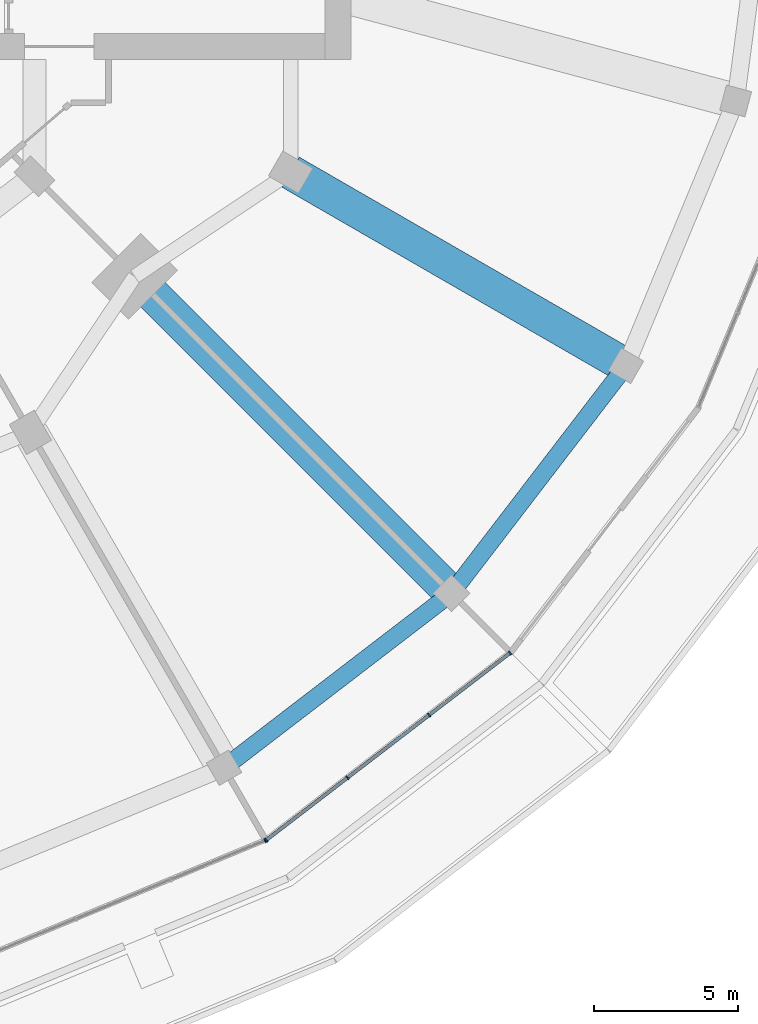
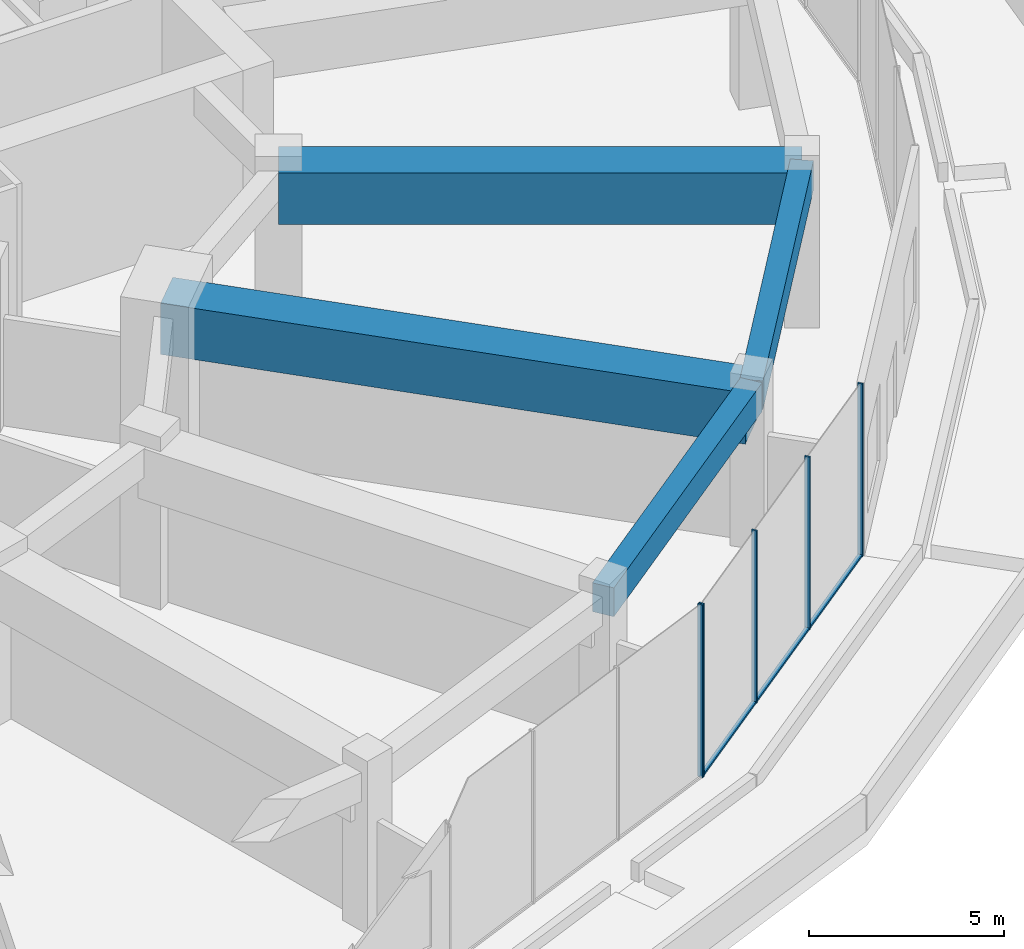
# One storey, part 11 of 30: 8 members, 4 beams, 2 elements without a shape of their own.
"""IFC4 building model written with IfcOpenShell, lengths in metres."""

from ifc_helpers import new_model, si_unit, direction, frame, origin, origin_2d, place, context, subcontext, project, spatial, rectangle, extrude, material, layer, layer_set, material_profile, profile_set, type_object, element, aggregate, save


model = new_model("IFC4")

# Units and contexts
model_context = context("Model", 3, precision=1e-05, world=origin(), true_north=direction((0.0, 1.0)))
body_context = subcontext(model_context, "Body", "Model", "MODEL_VIEW")
ifc_project = project(units=[si_unit("LENGTHUNIT", "METRE"), si_unit("AREAUNIT", "SQUARE_METRE"), si_unit("VOLUMEUNIT", "CUBIC_METRE"), si_unit("PLANEANGLEUNIT", "RADIAN"), si_unit("MASSUNIT", "GRAM", prefix="KILO")], contexts=[model_context])

# Site, building, storey
site_placement = place(None, origin())
site = spatial("IfcSite", under=ifc_project, at=site_placement, CompositionType="ELEMENT")
building_placement = place(site_placement, origin())
building = spatial("IfcBuilding", under=site, at=building_placement, Name="Torre Brocal", CompositionType="ELEMENT")
storey_placement = place(building_placement, frame((0.0, 0.0, 7.0)))
storey = spatial("IfcBuildingStorey", under=building, at=storey_placement, Name="L01", CompositionType="ELEMENT", Elevation=7.0)

# Curtain wall, member
ifc_material_1 = material(Name="Aluminium and glass", Category="aluminium")
ifc_layer = layer(ifc_material_1, 0.199951171875)
ifc_layer_set = layer_set([ifc_layer], Name="Aluminium and glass")
curtain_wall_type = type_object("IfcCurtainWallType", Name="CW-3 CURTAIN WALL 5400 HIGH", PredefinedType="NOTDEFINED", material=ifc_layer_set)
curtain_wall_1_placement = place(storey_placement, origin())
curtain_wall_1 = element("IfcCurtainWall", 1, at=curtain_wall_1_placement, inside=storey, type_object=curtain_wall_type, Name="CW-3 RUN 20", PredefinedType="NOTDEFINED")
ifc_material_2 = material(Name="Aluminium, dark anodised", Category="aluminium")
ifc_material_profile_1 = material_profile(ifc_material_2, rectangle(XDim=0.14990234375, YDim=0.050048828125, at=origin_2d()), Name="CW-3 MULLION 50X150")
ifc_profile_set_1 = profile_set([ifc_material_profile_1], Name="Aluminium, dark anodised")
member_type_1 = type_object("IfcMemberType", Name="CW-3 MULLION 50X150", PredefinedType="MULLION", material=ifc_profile_set_1)
member_1_placement = place(storey_placement, frame((100.426513671875, 39.57080078125, 0.0), z_axis=(0.0, 0.0, 1.0), x_axis=(-0.382683432397, 0.923879532498, 0.0)))
member_1 = element("IfcMember", 2, at=member_1_placement, type_object=member_type_1, Name="CW3-2 mullion 4", PredefinedType="MULLION", context=body_context, shape_type="SweptSolid", body=[
    extrude(rectangle(XDim=0.14990234375, YDim=0.050048828125, at=origin_2d()), origin(), (0.0, 0.0, 1.0), 5.39990234375),
])
aggregate(curtain_wall_1, [member_1])

# Curtain wall, members
curtain_wall_2_placement = place(storey_placement, origin())
curtain_wall_2 = element("IfcCurtainWall", 3, at=curtain_wall_2_placement, inside=storey, type_object=curtain_wall_type, Name="CW-3 RUN 21", PredefinedType="NOTDEFINED")
member_2_placement = place(storey_placement, frame((100.469482421875, 39.595458984375, 0.0), z_axis=(0.0, 0.0, 1.0), x_axis=(-0.608761429009, 0.793353340291, 0.0)))
member_2 = element("IfcMember", 4, at=member_2_placement, type_object=member_type_1, Name="CW3-2 mullion 1", PredefinedType="MULLION", context=body_context, shape_type="SweptSolid", body=[
    extrude(rectangle(XDim=0.14990234375, YDim=0.050048828125, at=origin_2d()), origin(), (0.0, 0.0, 1.0), 5.39990234375),
])
member_3_placement = place(storey_placement, frame((103.27294921875, 41.746826171875, 0.0), z_axis=(0.0, 0.0, 1.0), x_axis=(-0.608761429009, 0.793353340291, 0.0)))
member_3 = element("IfcMember", 5, at=member_3_placement, type_object=member_type_1, Name="CW3-2 mullion 2", PredefinedType="MULLION", context=body_context, shape_type="SweptSolid", body=[
    extrude(rectangle(XDim=0.14990234375, YDim=0.050048828125, at=origin_2d()), origin(), (0.0, 0.0, 1.0), 5.39990234375),
])
member_4_placement = place(storey_placement, frame((106.0966796875, 43.913330078125, 0.0), z_axis=(0.0, 0.0, 1.0), x_axis=(-0.608761429009, 0.793353340291, 0.0)))
member_4 = element("IfcMember", 6, at=member_4_placement, type_object=member_type_1, Name="CW3-2 mullion 3", PredefinedType="MULLION", context=body_context, shape_type="SweptSolid", body=[
    extrude(rectangle(XDim=0.14990234375, YDim=0.050048828125, at=origin_2d()), origin(), (0.0, 0.0, 1.0), 5.39990234375),
])
member_5_placement = place(storey_placement, frame((108.900146484375, 46.064697265625, 0.0), z_axis=(0.0, 0.0, 1.0), x_axis=(-0.608761429009, 0.793353340291, 0.0)))
member_5 = element("IfcMember", 7, at=member_5_placement, type_object=member_type_1, Name="CW3-2 mullion 4", PredefinedType="MULLION", context=body_context, shape_type="SweptSolid", body=[
    extrude(rectangle(XDim=0.14990234375, YDim=0.050048828125, at=origin_2d()), origin(), (0.0, 0.0, 1.0), 5.39990234375),
])
ifc_material_3 = material(Name="Aluminium, dark anodised", Category="aluminium")
ifc_material_profile_2 = material_profile(ifc_material_3, rectangle(XDim=0.1201171875, YDim=0.06005859375, at=origin_2d()), Name="CW-3 TRANSOM 120X60")
ifc_profile_set_2 = profile_set([ifc_material_profile_2], Name="Aluminium, dark anodised")
member_type_2 = type_object("IfcMemberType", Name="CW-3 TRANSOM 120X60", PredefinedType="USERDEFINED", material=ifc_profile_set_2)
member_6_placement = place(storey_placement, frame((100.4892578125, 39.61083984375, 0.030029296875), z_axis=(0.793350254667, 0.608765450251, 0.0), x_axis=(-0.608765450251, 0.793350254667, 0.0)))
member_6 = element("IfcMember", 8, at=member_6_placement, type_object=member_type_2, Name="CW3-2 transom 1.1", ObjectType="TRANSOM", PredefinedType="USERDEFINED", context=body_context, shape_type="SweptSolid", body=[
    extrude(rectangle(XDim=0.1201171875, YDim=0.06005859375, at=origin_2d()), origin(), (0.0, 0.0, 1.0), 3.48388671875),
])
member_7_placement = place(storey_placement, frame((103.29296875, 41.761962890625, 0.030029296875), z_axis=(0.793321829967, 0.608802491862, 0.0), x_axis=(-0.608802491862, 0.793321829967, 0.0)))
member_7 = element("IfcMember", 9, at=member_7_placement, type_object=member_type_2, Name="CW3-2 transom 2.1", ObjectType="TRANSOM", PredefinedType="USERDEFINED", context=body_context, shape_type="SweptSolid", body=[
    extrude(rectangle(XDim=0.1201171875, YDim=0.06005859375, at=origin_2d()), origin(), (0.0, 0.0, 1.0), 3.5087890625),
])
member_8_placement = place(storey_placement, frame((106.116455078125, 43.9287109375, 0.030029296875), z_axis=(0.793350254667, 0.608765450251, 0.0), x_axis=(-0.608765450251, 0.793350254667, 0.0)))
member_8 = element("IfcMember", 10, at=member_8_placement, type_object=member_type_2, Name="CW3-2 transom 3.1", ObjectType="TRANSOM", PredefinedType="USERDEFINED", context=body_context, shape_type="SweptSolid", body=[
    extrude(rectangle(XDim=0.1201171875, YDim=0.06005859375, at=origin_2d()), origin(), (0.0, 0.0, 1.0), 3.48388671875),
])
aggregate(curtain_wall_2, [member_2, member_3, member_4, member_5, member_6, member_7, member_8])

# Beams
ifc_material_4 = material(Name="Concrete C50", Category="concrete")
ifc_material_profile_3 = material_profile(ifc_material_4, rectangle(XDim=0.60009765625, YDim=0.89990234375, at=origin_2d()), Name="RC 600X900")
ifc_profile_set_3 = profile_set([ifc_material_profile_3], Name="Concrete C50")
beam_type_1 = type_object("IfcBeamType", Name="RC BEAM 600X900 C50 TOP 4950", PredefinedType="BEAM", material=ifc_profile_set_3)
for number, where, z_axis, x_axis, name in (
    (11, (99.0, 42.091064453125, 4.5), (0.79335991075, 0.608752866125, 0.0), (-0.608752866125, 0.79335991075, 0.0), "Beam BT-10"),
    (12, (106.8701171875, 48.1298828125, 4.5), (0.608752866125, 0.79335991075, 0.0), (-0.79335991075, 0.608752866125, 0.0), "Beam BT-10"),
):
    element("IfcBeam", number, at=place(storey_placement, frame(where, z_axis=z_axis, x_axis=x_axis)), inside=storey, type_object=beam_type_1, Name=name, PredefinedType="BEAM", context=body_context, shape_type="SweptSolid", body=[
        extrude(rectangle(XDim=0.60009765625, YDim=0.89990234375, at=origin_2d()), origin(), (0.0, 0.0, 1.0), 9.919921875),
    ])
ifc_material_5 = material(Name="Concrete C60", Category="concrete")
ifc_material_profile_4 = material_profile(ifc_material_5, rectangle(XDim=1.199951171875, YDim=1.60009765625, at=origin_2d()), Name="RC 1200X1600")
ifc_profile_set_4 = profile_set([ifc_material_profile_4], Name="Concrete C60")
beam_type_2 = type_object("IfcBeamType", Name="RC TRANSFER GIRDER 1200X1600 C60 TOP 4950", PredefinedType="BEAM", material=ifc_profile_set_4)
beam_1_placement = place(storey_placement, frame((95.909912109375, 59.090087890625, 4.14990234375), z_axis=(0.707106781187, -0.707106781187, 0.0), x_axis=(0.707106781187, 0.707106781187, 0.0)))
element("IfcBeam", 13, at=beam_1_placement, inside=storey, type_object=beam_type_2, Name="Beam TG-02", PredefinedType="BEAM", context=body_context, shape_type="SweptSolid", body=[
    extrude(rectangle(XDim=1.199951171875, YDim=1.60009765625, at=origin_2d()), origin(), (0.0, 0.0, 1.0), 15.5),
])
beam_2_placement = place(storey_placement, frame((101.30419921875, 62.699951171875, 4.14990234375), z_axis=(0.866026905467, -0.499997399001, 0.0), x_axis=(0.499997399001, 0.866026905467, 0.0)))
element("IfcBeam", 14, at=beam_2_placement, inside=storey, type_object=beam_type_2, Name="Beam TG-02", PredefinedType="BEAM", context=body_context, shape_type="SweptSolid", body=[
    extrude(rectangle(XDim=1.199951171875, YDim=1.60009765625, at=origin_2d()), origin(), (0.0, 0.0, 1.0), 13.39990234375),
])

save(model, "model.ifc")
